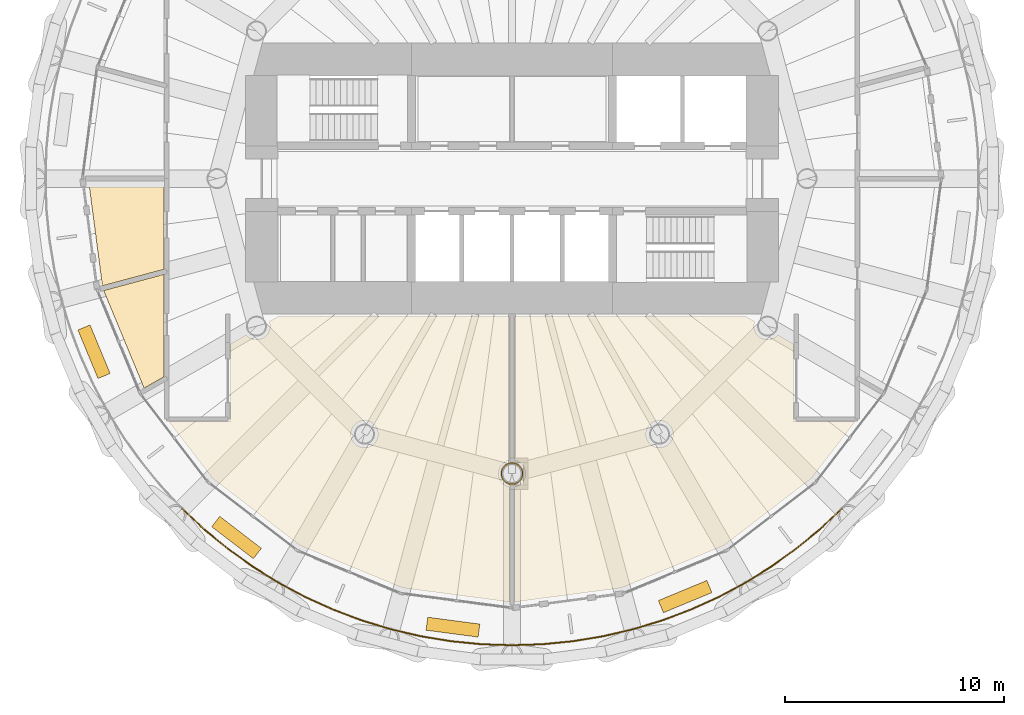
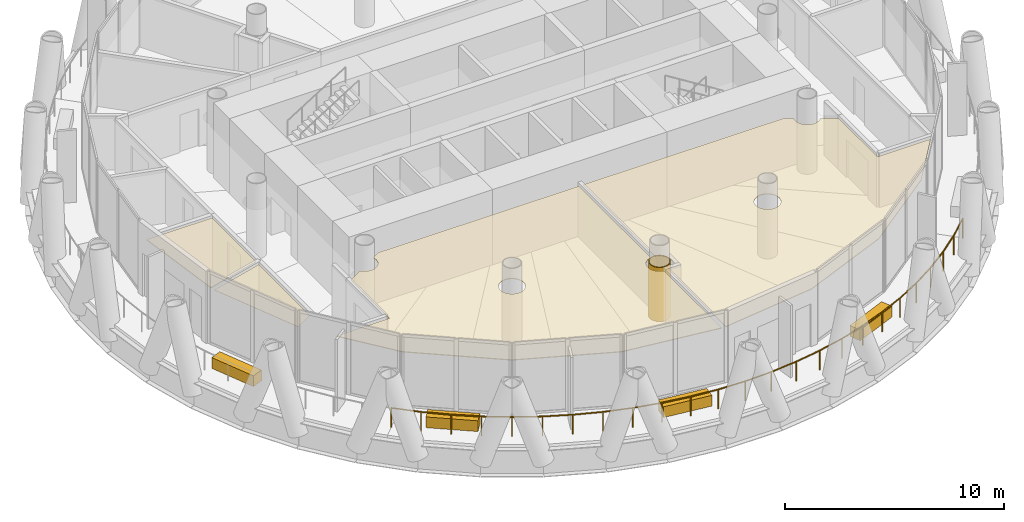
# One storey, part 12 of 15: 9 coverings, 1 railing.
"""IFC4 building model written with IfcOpenShell, lengths in metres."""

from ifc_helpers import new_model, si_unit, direction, frame, origin, origin_2d, place, context, subcontext, project, spatial, polyline, rectangle, circle, outline, extrude, material, layer, layer_set, type_object, element, save


model = new_model("IFC4")

# Units and contexts
model_context = context("Model", 3, precision=1e-05, world=origin(), true_north=direction((0.0, 1.0)))
body_context = subcontext(model_context, "Body", "Model", "MODEL_VIEW")
ifc_project = project(units=[si_unit("LENGTHUNIT", "METRE"), si_unit("AREAUNIT", "SQUARE_METRE"), si_unit("VOLUMEUNIT", "CUBIC_METRE"), si_unit("PLANEANGLEUNIT", "RADIAN"), si_unit("MASSUNIT", "GRAM", prefix="KILO")], contexts=[model_context])

# Site, building, storey
site_placement = place(None, origin())
site = spatial("IfcSite", under=ifc_project, at=site_placement, CompositionType="ELEMENT")
building_placement = place(site_placement, origin())
building = spatial("IfcBuilding", under=site, at=building_placement, Name="Qaws Media Tower", CompositionType="ELEMENT")
storey_placement = place(building_placement, frame((0.0, 0.0, 257.0)))
storey = spatial("IfcBuildingStorey", under=building, at=storey_placement, Name="L59", CompositionType="ELEMENT", Elevation=257.0)

# Coverings
ifc_material_1 = material(Name="40 perforated acoustic panels with mineral wool backing, suspended", Category="mineral fibre")
ifc_layer_1 = layer(ifc_material_1, 0.0400390625)
ifc_layer_set_1 = layer_set([ifc_layer_1], Name="Acoustic panel ceiling 40")
covering_type_1 = type_object("IfcCoveringType", Name="Acoustic panel ceiling 40", PredefinedType="CEILING", material=ifc_layer_set_1)
covering_1_placement = place(storey_placement, frame((0.0, 0.0, 2.85009765625)))
element("IfcCovering", 1, at=covering_1_placement, inside=storey, type_object=covering_type_1, Name="CL3 ceiling L59-08 Broadcast booth", PredefinedType="CEILING", context=body_context, shape_type="SweptSolid", body=[
    extrude(outline(polyline([(40.629638671875, 49.887451171875), (44.08740234375, 49.887451171875), (44.08740234375, 45.852783203125), (41.260498046875, 45.09521484375), (40.629638671875, 49.887451171875)])), origin(), (0.0, 0.0, 1.0), 0.039794921875),
])
covering_2_placement = place(storey_placement, frame((0.0, 0.0, 2.85009765625)))
element("IfcCovering", 2, at=covering_2_placement, inside=storey, type_object=covering_type_1, Name="CL3 ceiling L59-10 Bureau newsroom", PredefinedType="CEILING", context=body_context, shape_type="SweptSolid", body=[
    extrude(outline(polyline([(47.112548828125, 38.887451171875), (47.112548828125, 42.429443359375), (47.840576171875, 42.849853515625), (47.872314453125, 42.813720703125), (47.93310546875, 42.760498046875), (48.000244140625, 42.7158203125), (48.072509765625, 42.679931640625), (48.14892578125, 42.654052734375), (48.22802734375, 42.63818359375), (48.30859375, 42.633056640625), (48.38916015625, 42.63818359375), (48.46826171875, 42.654052734375), (48.544921875, 42.679931640625), (48.6171875, 42.7158203125), (48.684326171875, 42.760498046875), (48.744873046875, 42.813720703125), (48.798095703125, 42.87451171875), (48.843017578125, 42.94140625), (48.878662109375, 43.013916015625), (48.904541015625, 43.09033203125), (48.92041015625, 43.16943359375), (48.92578125, 43.25), (48.92041015625, 43.33056640625), (48.904541015625, 43.40966796875), (48.88916015625, 43.455322265625), (49.29150390625, 43.6875), (59.887451171875, 43.6875), (59.887451171875, 37.10546875), (59.84033203125, 37.095947265625), (59.763916015625, 37.070068359375), (59.69140625, 37.0341796875), (59.62451171875, 36.989501953125), (59.563720703125, 36.936279296875), (59.510498046875, 36.87548828125), (59.4658203125, 36.80859375), (59.429931640625, 36.736083984375), (59.404052734375, 36.65966796875), (59.38818359375, 36.58056640625), (59.383056640625, 36.5), (59.38818359375, 36.41943359375), (59.404052734375, 36.34033203125), (59.429931640625, 36.263916015625), (59.4658203125, 36.19140625), (59.510498046875, 36.12451171875), (59.563720703125, 36.063720703125), (59.62451171875, 36.010498046875), (59.69140625, 35.9658203125), (59.763916015625, 35.929931640625), (59.84033203125, 35.904052734375), (59.887451171875, 35.89453125), (59.887451171875, 30.629638671875), (54.982666015625, 31.275390625), (50.307373046875, 33.2119140625), (46.29248046875, 36.29248046875), (44.301513671875, 38.887451171875), (47.112548828125, 38.887451171875)]), holes=[polyline([(53.845947265625, 38.14892578125), (53.86181640625, 38.22802734375), (53.866943359375, 38.30859375), (53.86181640625, 38.38916015625), (53.845947265625, 38.46826171875), (53.820068359375, 38.544921875), (53.7841796875, 38.6171875), (53.739501953125, 38.684326171875), (53.686279296875, 38.744873046875), (53.62548828125, 38.798095703125), (53.55859375, 38.843017578125), (53.486083984375, 38.878662109375), (53.40966796875, 38.904541015625), (53.33056640625, 38.92041015625), (53.25, 38.92578125), (53.16943359375, 38.92041015625), (53.09033203125, 38.904541015625), (53.013916015625, 38.878662109375), (52.94140625, 38.843017578125), (52.87451171875, 38.798095703125), (52.813720703125, 38.744873046875), (52.760498046875, 38.684326171875), (52.7158203125, 38.6171875), (52.679931640625, 38.544921875), (52.654052734375, 38.46826171875), (52.63818359375, 38.38916015625), (52.633056640625, 38.30859375), (52.63818359375, 38.22802734375), (52.654052734375, 38.14892578125), (52.679931640625, 38.072509765625), (52.7158203125, 38.000244140625), (52.760498046875, 37.93310546875), (52.813720703125, 37.872314453125), (52.87451171875, 37.819091796875), (52.94140625, 37.7744140625), (53.013916015625, 37.738525390625), (53.09033203125, 37.712646484375), (53.16943359375, 37.697021484375), (53.25, 37.691650390625), (53.33056640625, 37.697021484375), (53.40966796875, 37.712646484375), (53.486083984375, 37.738525390625), (53.55859375, 37.7744140625), (53.62548828125, 37.819091796875), (53.686279296875, 37.872314453125), (53.739501953125, 37.93310546875), (53.7841796875, 38.000244140625), (53.820068359375, 38.072509765625), (53.845947265625, 38.14892578125)])]), origin(), (0.0, 0.0, 1.0), 0.039794921875),
])
covering_3_placement = place(storey_placement, frame((0.0, 0.0, 2.85009765625)))
element("IfcCovering", 3, at=covering_3_placement, inside=storey, type_object=covering_type_1, Name="CL3 ceiling L59-11 Bureau newsroom", PredefinedType="CEILING", context=body_context, shape_type="SweptSolid", body=[
    extrude(outline(polyline([(72.887451171875, 38.887451171875), (75.698486328125, 38.887451171875), (73.70751953125, 36.29248046875), (69.692626953125, 33.2119140625), (65.017333984375, 31.275390625), (60.112548828125, 30.629638671875), (60.112548828125, 35.89453125), (60.15966796875, 35.904052734375), (60.236083984375, 35.929931640625), (60.30859375, 35.9658203125), (60.37548828125, 36.010498046875), (60.436279296875, 36.063720703125), (60.489501953125, 36.12451171875), (60.5341796875, 36.19140625), (60.570068359375, 36.263916015625), (60.595947265625, 36.34033203125), (60.61181640625, 36.41943359375), (60.616943359375, 36.5), (60.61181640625, 36.58056640625), (60.595947265625, 36.65966796875), (60.570068359375, 36.736083984375), (60.5341796875, 36.80859375), (60.489501953125, 36.87548828125), (60.436279296875, 36.936279296875), (60.37548828125, 36.989501953125), (60.30859375, 37.0341796875), (60.236083984375, 37.070068359375), (60.15966796875, 37.095947265625), (60.112548828125, 37.10546875), (60.112548828125, 43.6875), (70.70849609375, 43.6875), (71.11083984375, 43.455322265625), (71.095458984375, 43.40966796875), (71.07958984375, 43.33056640625), (71.07421875, 43.25), (71.07958984375, 43.16943359375), (71.095458984375, 43.09033203125), (71.121337890625, 43.013916015625), (71.156982421875, 42.94140625), (71.201904296875, 42.87451171875), (71.255126953125, 42.813720703125), (71.315673828125, 42.760498046875), (71.3828125, 42.7158203125), (71.455078125, 42.679931640625), (71.53173828125, 42.654052734375), (71.61083984375, 42.63818359375), (71.69140625, 42.633056640625), (71.77197265625, 42.63818359375), (71.85107421875, 42.654052734375), (71.927490234375, 42.679931640625), (71.999755859375, 42.7158203125), (72.06689453125, 42.760498046875), (72.127685546875, 42.813720703125), (72.159423828125, 42.849853515625), (72.887451171875, 42.429443359375), (72.887451171875, 38.887451171875)]), holes=[polyline([(67.320068359375, 38.072509765625), (67.345947265625, 38.14892578125), (67.36181640625, 38.22802734375), (67.366943359375, 38.30859375), (67.36181640625, 38.38916015625), (67.345947265625, 38.46826171875), (67.320068359375, 38.544921875), (67.2841796875, 38.6171875), (67.239501953125, 38.684326171875), (67.186279296875, 38.744873046875), (67.12548828125, 38.798095703125), (67.05859375, 38.843017578125), (66.986083984375, 38.878662109375), (66.90966796875, 38.904541015625), (66.83056640625, 38.92041015625), (66.75, 38.92578125), (66.66943359375, 38.92041015625), (66.59033203125, 38.904541015625), (66.513916015625, 38.878662109375), (66.44140625, 38.843017578125), (66.37451171875, 38.798095703125), (66.313720703125, 38.744873046875), (66.260498046875, 38.684326171875), (66.2158203125, 38.6171875), (66.179931640625, 38.544921875), (66.154052734375, 38.46826171875), (66.13818359375, 38.38916015625), (66.133056640625, 38.30859375), (66.13818359375, 38.22802734375), (66.154052734375, 38.14892578125), (66.179931640625, 38.072509765625), (66.2158203125, 38.000244140625), (66.260498046875, 37.93310546875), (66.313720703125, 37.872314453125), (66.37451171875, 37.819091796875), (66.44140625, 37.7744140625), (66.513916015625, 37.738525390625), (66.59033203125, 37.712646484375), (66.66943359375, 37.697021484375), (66.75, 37.691650390625), (66.83056640625, 37.697021484375), (66.90966796875, 37.712646484375), (66.986083984375, 37.738525390625), (67.05859375, 37.7744140625), (67.12548828125, 37.819091796875), (67.186279296875, 37.872314453125), (67.239501953125, 37.93310546875), (67.2841796875, 38.000244140625), (67.320068359375, 38.072509765625)])]), origin(), (0.0, 0.0, 1.0), 0.039794921875),
])

# Railing
ifc_material_2 = material(Name="Stainless steel and glass guard", Category="steel")
railing_type = type_object("IfcRailingType", Name="Balcony guard 1100", PredefinedType="GUARDRAIL", material=ifc_material_2)
railing_placement = place(storey_placement, frame((44.9033203125, 34.9033203125, 0.0)))
element("IfcRailing", 4, at=railing_placement, inside=storey, type_object=railing_type, Name="GR1 balcony guard L59-3", PredefinedType="GUARDRAIL", context=body_context, shape_type="SweptSolid", body=[
    extrude(circle(Radius=0.02392578125, at=origin_2d()), frame((0.0, 0.0, 1.076171875), z_axis=(0.729798746141, -0.683662043799, 0.0), x_axis=(0.683662043799, 0.729798746141, 0.0)), (0.0, 0.0, 1.0), 1.39697265625),
    extrude(circle(Radius=0.02392578125, at=origin_2d()), frame((1.01953125, -0.955078125, 1.076171875), z_axis=(0.773068976107, -0.634321967285, 0.0), x_axis=(0.634321967285, 0.773068976107, 0.0)), (0.0, 0.0, 1.0), 1.397216796875),
    extrude(circle(Radius=0.02392578125, at=origin_2d()), frame((2.099609375, -1.84130859375, 1.076171875), z_axis=(0.81281161233, -0.58252663704, 0.0), x_axis=(0.58252663704, 0.81281161233, 0.0)), (0.0, 0.0, 1.0), 1.397216796875),
    extrude(circle(Radius=0.02392578125, at=origin_2d()), frame((3.2353515625, -2.6552734375, 1.076171875), z_axis=(0.849164590806, -0.528128296649, 0.0), x_axis=(0.528128296649, 0.849164590806, 0.0)), (0.0, 0.0, 1.0), 1.39697265625),
    extrude(circle(Radius=0.02392578125, at=origin_2d()), frame((4.421630859375, -3.39306640625, 1.076171875), z_axis=(0.881970494844, -0.471304621477, 0.0), x_axis=(0.471304621477, 0.881970494844, 0.0)), (0.0, 0.0, 1.0), 1.39697265625),
    extrude(circle(Radius=0.02392578125, at=origin_2d()), frame((5.65380859375, -4.051513671875, 1.076171875), z_axis=(0.910832714428, -0.412775685242, 0.0), x_axis=(0.412775685242, 0.910832714428, 0.0)), (0.0, 0.0, 1.0), 1.39697265625),
    extrude(circle(Radius=0.02392578125, at=origin_2d()), frame((6.92626953125, -4.628173828125, 1.076171875), z_axis=(0.935897611398, -0.352272140511, 0.0), x_axis=(0.352272140511, 0.935897611398, 0.0)), (0.0, 0.0, 1.0), 1.397216796875),
    extrude(circle(Radius=0.02392578125, at=origin_2d()), frame((8.23388671875, -5.120361328125, 1.076171875), z_axis=(0.956946473361, -0.290264443435, 0.0), x_axis=(0.290264443435, 0.956946473361, 0.0)), (0.0, 0.0, 1.0), 1.39697265625),
    extrude(circle(Radius=0.02392578125, at=origin_2d()), frame((9.57080078125, -5.52587890625, 1.076171875), z_axis=(0.973894032594, -0.227003112926, 0.0), x_axis=(0.227003112926, 0.973894032594, 0.0)), (0.0, 0.0, 1.0), 1.39697265625),
    extrude(circle(Radius=0.02392578125, at=origin_2d()), frame((10.931396484375, -5.843017578125, 1.076171875), z_axis=(0.986652414067, -0.162840455093, 0.0), x_axis=(0.162840455093, 0.986652414067, 0.0)), (0.0, 0.0, 1.0), 1.397216796875),
    extrude(circle(Radius=0.02392578125, at=origin_2d()), frame((12.31005859375, -6.070556640625, 1.076171875), z_axis=(0.995183167582, -0.098032968747, 0.0), x_axis=(0.098032968747, 0.995183167582, 0.0)), (0.0, 0.0, 1.0), 1.397216796875),
    extrude(circle(Radius=0.02392578125, at=origin_2d()), frame((13.700439453125, -6.20751953125, 1.076171875), z_axis=(0.999460124398, -0.032855132608, 0.0), x_axis=(0.032855132608, 0.999460124398, 0.0)), (0.0, 0.0, 1.0), 1.39697265625),
    extrude(circle(Radius=0.02392578125, at=origin_2d()), frame((15.0966796875, -6.25341796875, 1.076171875), z_axis=(0.999460124398, 0.032855132608, 0.0), x_axis=(-0.032855132608, 0.999460124398, 0.0)), (0.0, 0.0, 1.0), 1.39697265625),
    extrude(circle(Radius=0.02392578125, at=origin_2d()), frame((16.492919921875, -6.20751953125, 1.076171875), z_axis=(0.995183167582, 0.098032968747, 0.0), x_axis=(-0.098032968747, 0.995183167582, 0.0)), (0.0, 0.0, 1.0), 1.397216796875),
    extrude(circle(Radius=0.02392578125, at=origin_2d()), frame((17.88330078125, -6.070556640625, 1.076171875), z_axis=(0.986652414067, 0.162840455093, 0.0), x_axis=(-0.162840455093, 0.986652414067, 0.0)), (0.0, 0.0, 1.0), 1.397216796875),
    extrude(circle(Radius=0.02392578125, at=origin_2d()), frame((19.261962890625, -5.843017578125, 1.076171875), z_axis=(0.973894032594, 0.227003112926, 0.0), x_axis=(-0.227003112926, 0.973894032594, 0.0)), (0.0, 0.0, 1.0), 1.39697265625),
    extrude(circle(Radius=0.02392578125, at=origin_2d()), frame((20.62255859375, -5.52587890625, 1.076171875), z_axis=(0.956946473361, 0.290264443435, 0.0), x_axis=(-0.290264443435, 0.956946473361, 0.0)), (0.0, 0.0, 1.0), 1.39697265625),
    extrude(circle(Radius=0.02392578125, at=origin_2d()), frame((21.95947265625, -5.120361328125, 1.076171875), z_axis=(0.935897611398, 0.352272140511, 0.0), x_axis=(-0.352272140511, 0.935897611398, 0.0)), (0.0, 0.0, 1.0), 1.397216796875),
    extrude(circle(Radius=0.02392578125, at=origin_2d()), frame((23.26708984375, -4.628173828125, 1.076171875), z_axis=(0.910832714428, 0.412775685242, 0.0), x_axis=(-0.412775685242, 0.910832714428, 0.0)), (0.0, 0.0, 1.0), 1.39697265625),
    extrude(circle(Radius=0.02392578125, at=origin_2d()), frame((24.53955078125, -4.051513671875, 1.076171875), z_axis=(0.881970494844, 0.471304621477, 0.0), x_axis=(-0.471304621477, 0.881970494844, 0.0)), (0.0, 0.0, 1.0), 1.39697265625),
    extrude(circle(Radius=0.02392578125, at=origin_2d()), frame((25.771728515625, -3.39306640625, 1.076171875), z_axis=(0.849164590806, 0.528128296649, 0.0), x_axis=(-0.528128296649, 0.849164590806, 0.0)), (0.0, 0.0, 1.0), 1.39697265625),
    extrude(circle(Radius=0.02392578125, at=origin_2d()), frame((26.9580078125, -2.6552734375, 1.076171875), z_axis=(0.81281161233, 0.58252663704, 0.0), x_axis=(-0.58252663704, 0.81281161233, 0.0)), (0.0, 0.0, 1.0), 1.397216796875),
    extrude(circle(Radius=0.02392578125, at=origin_2d()), frame((28.09375, -1.84130859375, 1.076171875), z_axis=(0.773068976107, 0.634321967285, 0.0), x_axis=(-0.634321967285, 0.773068976107, 0.0)), (0.0, 0.0, 1.0), 1.397216796875),
    extrude(circle(Radius=0.02392578125, at=origin_2d()), frame((29.173828125, -0.955078125, 1.076171875), z_axis=(0.729798746141, 0.683662043799, 0.0), x_axis=(-0.683662043799, 0.729798746141, 0.0)), (0.0, 0.0, 1.0), 1.39697265625),
    extrude(circle(Radius=0.02099609375, at=origin_2d()), origin(), (0.0, 0.0, 1.0), 1.052001953125),
    extrude(circle(Radius=0.02099609375, at=origin_2d()), frame((1.01953125, -0.955078125, 0.0)), (0.0, 0.0, 1.0), 1.052001953125),
    extrude(circle(Radius=0.02099609375, at=origin_2d()), frame((2.099609375, -1.84130859375, 0.0)), (0.0, 0.0, 1.0), 1.052001953125),
    extrude(circle(Radius=0.02099609375, at=origin_2d()), frame((3.2353515625, -2.6552734375, 0.0)), (0.0, 0.0, 1.0), 1.052001953125),
    extrude(circle(Radius=0.02099609375, at=origin_2d()), frame((4.421630859375, -3.39306640625, 0.0)), (0.0, 0.0, 1.0), 1.052001953125),
    extrude(circle(Radius=0.02099609375, at=origin_2d()), frame((5.65380859375, -4.051513671875, 0.0)), (0.0, 0.0, 1.0), 1.052001953125),
    extrude(circle(Radius=0.02099609375, at=origin_2d()), frame((6.92626953125, -4.628173828125, 0.0)), (0.0, 0.0, 1.0), 1.052001953125),
    extrude(circle(Radius=0.02099609375, at=origin_2d()), frame((8.23388671875, -5.120361328125, 0.0)), (0.0, 0.0, 1.0), 1.052001953125),
    extrude(circle(Radius=0.02099609375, at=origin_2d()), frame((9.57080078125, -5.52587890625, 0.0)), (0.0, 0.0, 1.0), 1.052001953125),
    extrude(circle(Radius=0.02099609375, at=origin_2d()), frame((10.931396484375, -5.843017578125, 0.0)), (0.0, 0.0, 1.0), 1.052001953125),
    extrude(circle(Radius=0.02099609375, at=origin_2d()), frame((12.31005859375, -6.070556640625, 0.0)), (0.0, 0.0, 1.0), 1.052001953125),
    extrude(circle(Radius=0.02099609375, at=origin_2d()), frame((13.700439453125, -6.20751953125, 0.0)), (0.0, 0.0, 1.0), 1.052001953125),
    extrude(circle(Radius=0.02099609375, at=origin_2d()), frame((15.0966796875, -6.25341796875, 0.0)), (0.0, 0.0, 1.0), 1.052001953125),
    extrude(circle(Radius=0.02099609375, at=origin_2d()), frame((16.492919921875, -6.20751953125, 0.0)), (0.0, 0.0, 1.0), 1.052001953125),
    extrude(circle(Radius=0.02099609375, at=origin_2d()), frame((17.88330078125, -6.070556640625, 0.0)), (0.0, 0.0, 1.0), 1.052001953125),
    extrude(circle(Radius=0.02099609375, at=origin_2d()), frame((19.261962890625, -5.843017578125, 0.0)), (0.0, 0.0, 1.0), 1.052001953125),
    extrude(circle(Radius=0.02099609375, at=origin_2d()), frame((20.62255859375, -5.52587890625, 0.0)), (0.0, 0.0, 1.0), 1.052001953125),
    extrude(circle(Radius=0.02099609375, at=origin_2d()), frame((21.95947265625, -5.120361328125, 0.0)), (0.0, 0.0, 1.0), 1.052001953125),
    extrude(circle(Radius=0.02099609375, at=origin_2d()), frame((23.26708984375, -4.628173828125, 0.0)), (0.0, 0.0, 1.0), 1.052001953125),
    extrude(circle(Radius=0.02099609375, at=origin_2d()), frame((24.53955078125, -4.051513671875, 0.0)), (0.0, 0.0, 1.0), 1.052001953125),
    extrude(circle(Radius=0.02099609375, at=origin_2d()), frame((25.771728515625, -3.39306640625, 0.0)), (0.0, 0.0, 1.0), 1.052001953125),
    extrude(circle(Radius=0.02099609375, at=origin_2d()), frame((26.9580078125, -2.6552734375, 0.0)), (0.0, 0.0, 1.0), 1.052001953125),
    extrude(circle(Radius=0.02099609375, at=origin_2d()), frame((28.09375, -1.84130859375, 0.0)), (0.0, 0.0, 1.0), 1.052001953125),
    extrude(circle(Radius=0.02099609375, at=origin_2d()), frame((29.173828125, -0.955078125, 0.0)), (0.0, 0.0, 1.0), 1.052001953125),
    extrude(circle(Radius=0.02099609375, at=origin_2d()), frame((30.193359375, 0.0, 0.0)), (0.0, 0.0, 1.0), 1.052001953125),
])

# Coverings
ifc_material_3 = material(Name="Two layers 15 fire-rated gypsum board on steel framing", Category="steel")
ifc_layer_2 = layer(ifc_material_3, 0.050048828125)
ifc_layer_set_2 = layer_set([ifc_layer_2], Name="Column fire casing")
covering_type_2 = type_object("IfcCoveringType", Name="Column fire casing", PredefinedType="CLADDING", material=ifc_layer_set_2)
covering_4_placement = place(storey_placement, origin())
element("IfcCovering", 5, at=covering_4_placement, inside=storey, type_object=covering_type_2, Name="CC1 column casing L59", PredefinedType="CLADDING", context=body_context, shape_type="SweptSolid", body=[
    extrude(outline(polyline([(60.511962890625, 36.5), (60.507568359375, 36.43310546875), (60.49462890625, 36.367431640625), (60.472900390625, 36.30419921875), (60.443359375, 36.243896484375), (60.40625, 36.188232421875), (60.362060546875, 36.137939453125), (60.311767578125, 36.09375), (60.256103515625, 36.056640625), (60.19580078125, 36.027099609375), (60.132568359375, 36.00537109375), (60.06689453125, 35.992431640625), (60.0, 35.988037109375), (59.93310546875, 35.992431640625), (59.867431640625, 36.00537109375), (59.80419921875, 36.027099609375), (59.743896484375, 36.056640625), (59.688232421875, 36.09375), (59.637939453125, 36.137939453125), (59.59375, 36.188232421875), (59.556640625, 36.243896484375), (59.527099609375, 36.30419921875), (59.50537109375, 36.367431640625), (59.492431640625, 36.43310546875), (59.488037109375, 36.5), (59.492431640625, 36.56689453125), (59.50537109375, 36.632568359375), (59.527099609375, 36.69580078125), (59.556640625, 36.756103515625), (59.59375, 36.811767578125), (59.637939453125, 36.862060546875), (59.688232421875, 36.90625), (59.743896484375, 36.943359375), (59.80419921875, 36.972900390625), (59.867431640625, 36.99462890625), (59.93310546875, 37.007568359375), (60.0, 37.011962890625), (60.06689453125, 37.007568359375), (60.132568359375, 36.99462890625), (60.19580078125, 36.972900390625), (60.256103515625, 36.943359375), (60.311767578125, 36.90625), (60.362060546875, 36.862060546875), (60.40625, 36.811767578125), (60.443359375, 36.756103515625), (60.472900390625, 36.69580078125), (60.49462890625, 36.632568359375), (60.507568359375, 36.56689453125), (60.511962890625, 36.5)]), holes=[polyline([(60.4599609375, 36.5), (60.4560546875, 36.43994140625), (60.4443359375, 36.380859375), (60.425048828125, 36.323974609375), (60.3984375, 36.27001953125), (60.364990234375, 36.219970703125), (60.3251953125, 36.1748046875), (60.280029296875, 36.135009765625), (60.22998046875, 36.1015625), (60.176025390625, 36.074951171875), (60.119140625, 36.0556640625), (60.06005859375, 36.0439453125), (60.0, 36.0400390625), (59.93994140625, 36.0439453125), (59.880859375, 36.0556640625), (59.823974609375, 36.074951171875), (59.77001953125, 36.1015625), (59.719970703125, 36.135009765625), (59.6748046875, 36.1748046875), (59.635009765625, 36.219970703125), (59.6015625, 36.27001953125), (59.574951171875, 36.323974609375), (59.5556640625, 36.380859375), (59.5439453125, 36.43994140625), (59.5400390625, 36.5), (59.5439453125, 36.56005859375), (59.5556640625, 36.619140625), (59.574951171875, 36.676025390625), (59.6015625, 36.72998046875), (59.635009765625, 36.780029296875), (59.6748046875, 36.8251953125), (59.719970703125, 36.864990234375), (59.77001953125, 36.8984375), (59.823974609375, 36.925048828125), (59.880859375, 36.9443359375), (59.93994140625, 36.9560546875), (60.0, 36.9599609375), (60.06005859375, 36.9560546875), (60.119140625, 36.9443359375), (60.176025390625, 36.925048828125), (60.22998046875, 36.8984375), (60.280029296875, 36.864990234375), (60.3251953125, 36.8251953125), (60.364990234375, 36.780029296875), (60.3984375, 36.72998046875), (60.425048828125, 36.676025390625), (60.4443359375, 36.619140625), (60.4560546875, 36.56005859375), (60.4599609375, 36.5)])]), origin(), (0.0, 0.0, 1.0), 3.02001953125),
])
ifc_material_4 = material(Name="600 x 600 mineral fibre tiles in exposed grid, suspended", Category="mineral fibre")
ifc_layer_3 = layer(ifc_material_4, 0.02001953125)
ifc_layer_set_3 = layer_set([ifc_layer_3], Name="Mineral fibre tile ceiling 20")
covering_type_3 = type_object("IfcCoveringType", Name="Mineral fibre tile ceiling 20", PredefinedType="CEILING", material=ifc_layer_set_3)
covering_5_placement = place(storey_placement, frame((0.0, 0.0, 2.85009765625)))
element("IfcCovering", 6, at=covering_5_placement, inside=storey, type_object=covering_type_3, Name="CL1 ceiling L59-09 Edit room", PredefinedType="CEILING", context=body_context, shape_type="SweptSolid", body=[
    extrude(outline(polyline([(41.318603515625, 44.8779296875), (44.08740234375, 45.619873046875), (44.08740234375, 40.94287109375), (43.16845703125, 40.412109375), (41.318603515625, 44.8779296875)])), origin(), (0.0, 0.0, 1.0), 0.02001953125),
])
ifc_material_5 = material(Name="Precast concrete planter with trailing planting", Category="concrete")
ifc_layer_4 = layer(ifc_material_5, 0.60009765625)
ifc_layer_set_4 = layer_set([ifc_layer_4], Name="Planter 2400x600")
covering_type_4 = type_object("IfcCoveringType", Name="Planter 2400x600", PredefinedType="USERDEFINED", material=ifc_layer_set_4)
for number, where, z_axis, x_axis, name in (
    (7, (40.875732421875, 42.078369140625, 0.0), (0.0, 0.0, 1.0), (0.382683432365, -0.923879532511, 0.0), "PL1 balcony planter L59-07"),
    (8, (47.398681640625, 33.57763671875, 0.0), (0.0, 0.0, 1.0), (0.793353340291, -0.608761429009, 0.0), "PL1 balcony planter L59-08"),
    (9, (57.298095703125, 29.47705078125, 0.0), (0.0, 0.0, 1.0), (0.991444861374, -0.13052619222, 0.0), "PL1 balcony planter L59-09"),
    (10, (67.921630859375, 30.875732421875, 0.0), (0.0, 0.0, 1.0), (0.923879532511, 0.382683432365, 0.0), "PL1 balcony planter L59-10"),
):
    element("IfcCovering", number, at=place(storey_placement, frame(where, z_axis=z_axis, x_axis=x_axis)), inside=storey, type_object=covering_type_4, Name=name, ObjectType="PLANTER", PredefinedType="USERDEFINED", context=body_context, shape_type="SweptSolid", body=[
        extrude(rectangle(XDim=2.39990234375, YDim=0.60009765625, at=origin_2d()), origin(), (0.0, 0.0, 1.0), 0.60009765625),
    ])

save(model, "model.ifc")
